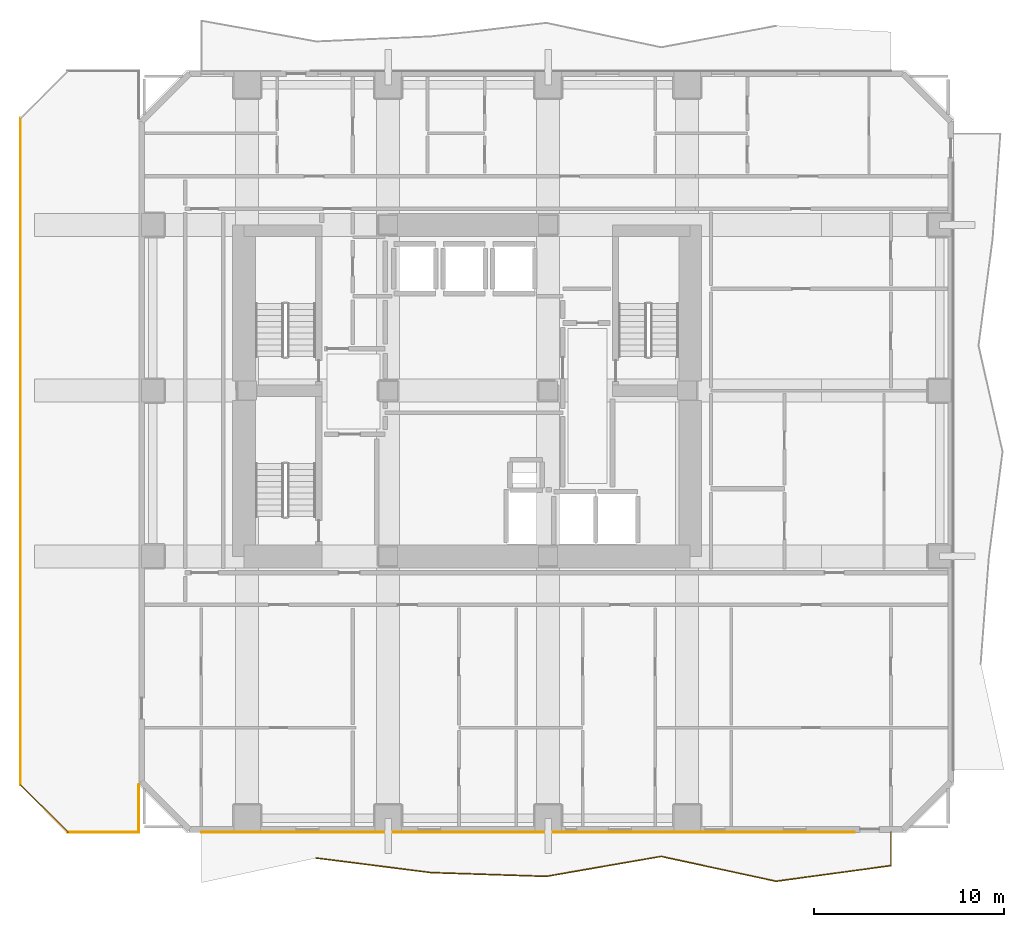
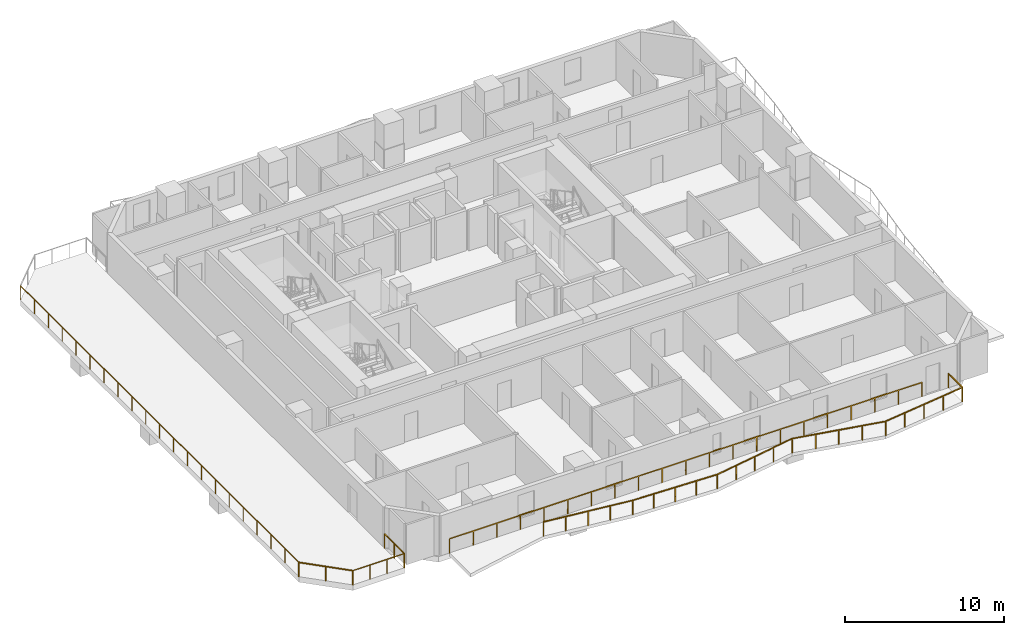
# One storey, part 8 of 10: 6 railings.
"""IFC4 building model written with IfcOpenShell, lengths in metres."""

import ifcopenshell
import ifcopenshell.guid

model = None  # the IFC model being written
_history = None  # IfcOwnerHistory: only IFC2X3 demands one
_inside = {}  # id of a spatial element -> (the spatial element, [elements in it])
_under = {}  # id of a project, library or spatial element -> (it, [spatial elements below it])
_declared = {}  # id of a project -> (the project, [libraries it declares])
_typed = {}  # id of a type object -> (the type object, [elements of that type])
_made_of = {}  # id of a material, layer set ... -> (it, [elements and type objects made of it])


def new_model(schema):
    """Start an empty IFC model of exactly this schema.

    Asked for "IFC4X3", IfcOpenShell would pick the latest addendum, in which some entities
    have other attributes; the version numbers below select the first issue.
    IFC2X3 requires an IfcOwnerHistory on every rooted entity: one is made here for all.
    """
    global model, _history
    if schema == "IFC4X3":
        model = ifcopenshell.file(schema_version=(4, 3, 0, 0))
    else:
        model = ifcopenshell.file(schema=schema)
    _inside.clear()
    _under.clear()
    _declared.clear()
    _typed.clear()
    _made_of.clear()
    _history = None
    if model.schema == "IFC2X3":
        org = make("IfcOrganization", Name="unknown")
        user = make(
            "IfcPersonAndOrganization",
            ThePerson=make("IfcPerson", FamilyName="unknown"),
            TheOrganization=org,
        )
        app = make(
            "IfcApplication",
            ApplicationDeveloper=org,
            Version="unknown",
            ApplicationFullName="unknown",
            ApplicationIdentifier="unknown",
        )
        _history = make(
            "IfcOwnerHistory",
            OwningUser=user,
            OwningApplication=app,
            ChangeAction="ADDED",
            CreationDate=0,
        )
    return model


def make(cls, **values):
    """One entity of the class cls with the attributes given. An attribute that is None is left unset."""
    return model.create_entity(
        cls, **{name: value for name, value in values.items() if value is not None}
    )


def rooted(cls, **values):
    """An entity with a GlobalId (a new one), such as an element, a storey or a relation."""
    return make(cls, GlobalId=ifcopenshell.guid.new(), OwnerHistory=_history, **values)


def si_unit(unit_type, name, prefix=None):
    """IfcSIUnit, for example si_unit("LENGTHUNIT", "METRE", prefix="MILLI")."""
    return make("IfcSIUnit", UnitType=unit_type, Prefix=prefix, Name=name)


def assignment(units):
    """IfcUnitAssignment: the units of a project."""
    return None if units is None else make("IfcUnitAssignment", Units=units)


def point(xyz):
    """IfcCartesianPoint."""
    return None if xyz is None else make("IfcCartesianPoint", Coordinates=xyz)


def direction(xyz):
    """IfcDirection."""
    return None if xyz is None else make("IfcDirection", DirectionRatios=xyz)


def frame(location, z_axis=None, x_axis=None):
    """IfcAxis2Placement3D, a coordinate frame: its origin and axes. An axis left out is left unset."""
    return make(
        "IfcAxis2Placement3D",
        Location=point(location),
        Axis=direction(z_axis),
        RefDirection=direction(x_axis),
    )


def frame_2d(location, x_axis=None):
    """IfcAxis2Placement2D, a coordinate frame in the plane: its origin and x axis."""
    return make(
        "IfcAxis2Placement2D", Location=point(location), RefDirection=direction(x_axis)
    )


def origin():
    """The frame at (0, 0, 0) with its axes left unset."""
    return frame((0.0, 0.0, 0.0))


def origin_2d():
    """The frame at (0, 0) in the plane with its x axis left unset."""
    return frame_2d((0.0, 0.0))


def place(relative_to, where):
    """IfcLocalPlacement: puts the frame where relative to a parent placement (None: the world)."""
    return make(
        "IfcLocalPlacement", PlacementRelTo=relative_to, RelativePlacement=where
    )


def context(
    kind, dimensions, precision=None, world=None, true_north=None, identifier=None
):
    """IfcGeometricRepresentationContext, for example the 3D "Model" context."""
    return make(
        "IfcGeometricRepresentationContext",
        ContextIdentifier=identifier,
        ContextType=kind,
        CoordinateSpaceDimension=dimensions,
        Precision=precision,
        WorldCoordinateSystem=world,
        TrueNorth=true_north,
    )


def subcontext(parent, identifier, kind, view, scale=None):
    """IfcGeometricRepresentationSubContext, for example "Body" below "Model"."""
    return make(
        "IfcGeometricRepresentationSubContext",
        ContextIdentifier=identifier,
        ContextType=kind,
        ParentContext=parent,
        TargetScale=scale,
        TargetView=view,
    )


def project(units=None, contexts=None):
    """IfcProject with its units and contexts."""
    return rooted(
        "IfcProject",
        Name="project",
        RepresentationContexts=contexts,
        UnitsInContext=assignment(units),
    )


def spatial(cls, under=None, at=None, **own):
    """A site, building, storey or space (cls), placed at a placement, below another one or the project."""
    s = rooted(cls, ObjectPlacement=at, **own)
    if under is not None:
        _under.setdefault(under.id(), (under, []))[1].append(s)
    return s


def profile(cls, at=None, kind="AREA", **sizes):
    """A parametric profile (cls). Its sizes go by their IFC names, for example OverallWidth=200.0."""
    return make(cls, ProfileType=kind, Position=at, **sizes)


def rectangle(**sizes):
    """IfcRectangleProfileDef."""
    return profile("IfcRectangleProfileDef", **sizes)


def extrude(swept, where, along, depth):
    """IfcExtrudedAreaSolid: the profile swept, set in the frame where, extruded along a direction by depth."""
    return make(
        "IfcExtrudedAreaSolid",
        SweptArea=swept,
        Position=where,
        ExtrudedDirection=direction(along),
        Depth=depth,
    )


def shape(context_of_items, identifier, shape_type, items):
    """IfcShapeRepresentation: the items that make up one representation, for example the "Body"."""
    return make(
        "IfcShapeRepresentation",
        ContextOfItems=context_of_items,
        RepresentationIdentifier=identifier,
        RepresentationType=shape_type,
        Items=items,
    )


def material(Name=None, Category=None):
    """IfcMaterial."""
    return make("IfcMaterial", Name=Name, Category=Category)


def made_of(thing, what):
    """Note that an element or type object is made of a material, layer set ...; save() writes the relation."""
    if what is not None:
        _made_of.setdefault(what.id(), (what, []))[1].append(thing)
    return thing


def type_object(cls, material=None, **own):
    """A type object (cls), such as IfcWallType, which elements share."""
    return made_of(rooted(cls, **own), material)


def element(
    cls,
    number,
    at=None,
    inside=None,
    cuts=None,
    type_object=None,
    material=None,
    context=None,
    identifier="Body",
    shape_type=None,
    held_by="IfcProductDefinitionShape",
    body=None,
    shapes=None,
    **own,
):
    """One element of the class cls, such as IfcWall. Its Tag is "e" and its number.

    at: its placement. inside: the storey or other place that contains it. cuts: it is an
    opening in that element (IfcRelVoidsElement). A single representation is given by context,
    identifier, shape_type and body (its items); several are given by shapes. held_by: the class
    of the entity that holds the representations. save() writes the other relations.
    """
    e = rooted(cls, Tag="e%d" % number, ObjectPlacement=at, **own)
    if body is not None:
        shapes = [shape(context, identifier, shape_type, body)]
    if shapes is not None:
        e.Representation = make(held_by, Representations=shapes)
    if inside is not None:
        _inside.setdefault(inside.id(), (inside, []))[1].append(e)
    if cuts is not None:
        rooted(
            "IfcRelVoidsElement", RelatingBuildingElement=cuts, RelatedOpeningElement=e
        )
    if type_object is not None:
        _typed.setdefault(type_object.id(), (type_object, []))[1].append(e)
    return made_of(e, material)


def aggregate(whole, parts):
    """IfcRelAggregates: a whole, such as a stair, and the parts it consists of."""
    return rooted("IfcRelAggregates", RelatingObject=whole, RelatedObjects=parts)


def save(model, path):
    """Write the relations noted so far, then the file.

    IfcRelAggregates (storeys below a building ...), IfcRelContainedInSpatialStructure (elements
    in a storey), IfcRelDefinesByType, IfcRelAssociatesMaterial and IfcRelDeclares: one each for
    every whole, place, type object, material and project.
    """
    for whole, parts in _under.values():
        aggregate(whole, parts)
    for where, things in _inside.values():
        rooted(
            "IfcRelContainedInSpatialStructure",
            RelatedElements=things,
            RelatingStructure=where,
        )
    for kind, things in _typed.values():
        rooted("IfcRelDefinesByType", RelatedObjects=things, RelatingType=kind)
    for what, things in _made_of.values():
        rooted("IfcRelAssociatesMaterial", RelatedObjects=things, RelatingMaterial=what)
    for by, libraries in _declared.values():
        rooted("IfcRelDeclares", RelatingContext=by, RelatedDefinitions=libraries)
    model.write(path)


model = new_model("IFC4")

# Units and contexts
model_context = context("Model", 3, precision=1e-05, world=origin(), true_north=direction((0.0, 1.0)))
body_context = subcontext(model_context, "Body", "Model", "MODEL_VIEW")
ifc_project = project(units=[si_unit("LENGTHUNIT", "METRE"), si_unit("AREAUNIT", "SQUARE_METRE"), si_unit("VOLUMEUNIT", "CUBIC_METRE"), si_unit("PLANEANGLEUNIT", "RADIAN"), si_unit("MASSUNIT", "GRAM", prefix="KILO")], contexts=[model_context])

# Site, building, storey
site_placement = place(None, origin())
site = spatial("IfcSite", under=ifc_project, at=site_placement, CompositionType="ELEMENT")
building_placement = place(site_placement, origin())
building = spatial("IfcBuilding", under=site, at=building_placement, Name="Solanera Arch Residences", CompositionType="ELEMENT")
storey_placement = place(building_placement, frame((0.0, 0.0, 41.919921875)))
storey = spatial("IfcBuildingStorey", under=building, at=storey_placement, Name="L11", CompositionType="ELEMENT", Elevation=41.919921875)

# Railings
ifc_material = material(Name="Steel S355 (ASTM A992 / A572 Grade 50)", Category="steel")
railing_type = type_object("IfcRailingType", Name="Balustrade Railing BL-1100", PredefinedType="BALUSTRADE", material=ifc_material)
railing_1_placement = place(storey_placement, frame((17.032958984375, 6.159912109375, 0.0)))
element("IfcRailing", 1, at=railing_1_placement, inside=storey, type_object=railing_type, Name="L11 S Balcony Balustrade 1", PredefinedType="BALUSTRADE", context=body_context, shape_type="SweptSolid", body=[
    extrude(rectangle(XDim=0.048095703125, YDim=0.048095703125, at=origin_2d()), frame((0.0, 0.0, 1.09619140625), z_axis=(0.99204081397, -0.125916732083, 0.0), x_axis=(0.125916732083, 0.99204081397, 0.0)), (0.0, 0.0, 1.0), 6.082275390625),
    extrude(rectangle(XDim=0.048095703125, YDim=0.048095703125, at=origin_2d()), frame((6.033935546875, -0.765869140625, 1.09619140625), z_axis=(0.999467212416, -0.0326388006, 0.0), x_axis=(0.0326388006, 0.999467212416, 0.0)), (0.0, 0.0, 1.0), 6.036376953125),
    extrude(rectangle(XDim=0.048095703125, YDim=0.048095703125, at=origin_2d()), frame((12.067138671875, -0.962890625, 1.09619140625), z_axis=(0.985215558641, 0.171319301343, 0.0), x_axis=(-0.171319301343, 0.985215558641, 0.0)), (0.0, 0.0, 1.0), 6.12353515625),
    extrude(rectangle(XDim=0.048095703125, YDim=0.048095703125, at=origin_2d()), frame((18.10009765625, 0.086181640625, 1.09619140625), z_axis=(0.977396058142, -0.211416521417, 0.0), x_axis=(0.211416521417, 0.977396058142, 0.0)), (0.0, 0.0, 1.0), 6.173583984375),
    extrude(rectangle(XDim=0.048095703125, YDim=0.048095703125, at=origin_2d()), frame((24.134033203125, -1.218994140625, 1.09619140625), z_axis=(0.990866001883, 0.134850162451, 0.0), x_axis=(-0.134850162451, 0.990866001883, 0.0)), (0.0, 0.0, 1.0), 6.088623046875),
    extrude(rectangle(XDim=0.048095703125, YDim=0.048095703125, at=origin_2d()), frame((30.1669921875, -0.39794921875, 1.09619140625), z_axis=(0.0, 1.0, 0.0), x_axis=(-1.0, 0.0, 0.0)), (0.0, 0.0, 1.0), 1.758056640625),
    extrude(rectangle(XDim=0.0419921875, YDim=0.0419921875, at=origin_2d()), origin(), (0.0, 0.0, 1.0), 1.072021484375),
    extrude(rectangle(XDim=0.0419921875, YDim=0.0419921875, at=origin_2d()), frame((1.508544921875, -0.19140625, 0.0)), (0.0, 0.0, 1.0), 1.072021484375),
    extrude(rectangle(XDim=0.0419921875, YDim=0.0419921875, at=origin_2d()), frame((3.01708984375, -0.3828125, 0.0)), (0.0, 0.0, 1.0), 1.072021484375),
    extrude(rectangle(XDim=0.0419921875, YDim=0.0419921875, at=origin_2d()), frame((4.525390625, -0.574462890625, 0.0)), (0.0, 0.0, 1.0), 1.072021484375),
    extrude(rectangle(XDim=0.0419921875, YDim=0.0419921875, at=origin_2d()), frame((6.033935546875, -0.765869140625, 0.0)), (0.0, 0.0, 1.0), 1.072021484375),
    extrude(rectangle(XDim=0.0419921875, YDim=0.0419921875, at=origin_2d()), frame((7.542236328125, -0.815185546875, 0.0)), (0.0, 0.0, 1.0), 1.072021484375),
    extrude(rectangle(XDim=0.0419921875, YDim=0.0419921875, at=origin_2d()), frame((9.050537109375, -0.8642578125, 0.0)), (0.0, 0.0, 1.0), 1.072021484375),
    extrude(rectangle(XDim=0.0419921875, YDim=0.0419921875, at=origin_2d()), frame((10.558837890625, -0.91357421875, 0.0)), (0.0, 0.0, 1.0), 1.072021484375),
    extrude(rectangle(XDim=0.0419921875, YDim=0.0419921875, at=origin_2d()), frame((12.067138671875, -0.962890625, 0.0)), (0.0, 0.0, 1.0), 1.072021484375),
    extrude(rectangle(XDim=0.0419921875, YDim=0.0419921875, at=origin_2d()), frame((13.575439453125, -0.70068359375, 0.0)), (0.0, 0.0, 1.0), 1.072021484375),
    extrude(rectangle(XDim=0.0419921875, YDim=0.0419921875, at=origin_2d()), frame((15.08349609375, -0.4384765625, 0.0)), (0.0, 0.0, 1.0), 1.072021484375),
    extrude(rectangle(XDim=0.0419921875, YDim=0.0419921875, at=origin_2d()), frame((16.591796875, -0.176025390625, 0.0)), (0.0, 0.0, 1.0), 1.072021484375),
    extrude(rectangle(XDim=0.0419921875, YDim=0.0419921875, at=origin_2d()), frame((18.10009765625, 0.086181640625, 0.0)), (0.0, 0.0, 1.0), 1.072021484375),
    extrude(rectangle(XDim=0.0419921875, YDim=0.0419921875, at=origin_2d()), frame((19.608642578125, -0.240234375, 0.0)), (0.0, 0.0, 1.0), 1.072021484375),
    extrude(rectangle(XDim=0.0419921875, YDim=0.0419921875, at=origin_2d()), frame((21.1171875, -0.56640625, 0.0)), (0.0, 0.0, 1.0), 1.072021484375),
    extrude(rectangle(XDim=0.0419921875, YDim=0.0419921875, at=origin_2d()), frame((22.62548828125, -0.892578125, 0.0)), (0.0, 0.0, 1.0), 1.072021484375),
    extrude(rectangle(XDim=0.0419921875, YDim=0.0419921875, at=origin_2d()), frame((24.134033203125, -1.218994140625, 0.0)), (0.0, 0.0, 1.0), 1.072021484375),
    extrude(rectangle(XDim=0.0419921875, YDim=0.0419921875, at=origin_2d()), frame((25.642333984375, -1.013671875, 0.0)), (0.0, 0.0, 1.0), 1.072021484375),
    extrude(rectangle(XDim=0.0419921875, YDim=0.0419921875, at=origin_2d()), frame((27.150390625, -0.80859375, 0.0)), (0.0, 0.0, 1.0), 1.072021484375),
    extrude(rectangle(XDim=0.0419921875, YDim=0.0419921875, at=origin_2d()), frame((28.65869140625, -0.603271484375, 0.0)), (0.0, 0.0, 1.0), 1.072021484375),
    extrude(rectangle(XDim=0.0419921875, YDim=0.0419921875, at=origin_2d()), frame((30.1669921875, -0.39794921875, 0.0)), (0.0, 0.0, 1.0), 1.072021484375),
    extrude(rectangle(XDim=0.0419921875, YDim=0.0419921875, at=origin_2d()), frame((30.1669921875, 1.360107421875, 0.0)), (0.0, 0.0, 1.0), 1.072021484375),
])
railing_2_placement = place(storey_placement, frame((45.283935546875, 7.52001953125, 0.0)))
element("IfcRailing", 2, at=railing_2_placement, inside=storey, type_object=railing_type, Name="L11 S Balcony Balustrade 2", PredefinedType="BALUSTRADE", context=body_context, shape_type="SweptSolid", body=[
    extrude(rectangle(XDim=0.048095703125, YDim=0.048095703125, at=origin_2d()), frame((0.0, 0.0, 1.09619140625), z_axis=(-1.0, 0.0, 0.0), x_axis=(0.0, -1.0, 0.0)), (0.0, 0.0, 1.0), 34.283935546875),
    extrude(rectangle(XDim=0.0419921875, YDim=0.0419921875, at=origin_2d()), origin(), (0.0, 0.0, 1.0), 1.072021484375),
    extrude(rectangle(XDim=0.0419921875, YDim=0.0419921875, at=origin_2d()), frame((-1.714111328125, 0.0, 0.0)), (0.0, 0.0, 1.0), 1.072021484375),
    extrude(rectangle(XDim=0.0419921875, YDim=0.0419921875, at=origin_2d()), frame((-3.428466796875, 0.0, 0.0)), (0.0, 0.0, 1.0), 1.072021484375),
    extrude(rectangle(XDim=0.0419921875, YDim=0.0419921875, at=origin_2d()), frame((-5.142578125, 0.0, 0.0)), (0.0, 0.0, 1.0), 1.072021484375),
    extrude(rectangle(XDim=0.0419921875, YDim=0.0419921875, at=origin_2d()), frame((-6.856689453125, 0.0, 0.0)), (0.0, 0.0, 1.0), 1.072021484375),
    extrude(rectangle(XDim=0.0419921875, YDim=0.0419921875, at=origin_2d()), frame((-8.571044921875, 0.0, 0.0)), (0.0, 0.0, 1.0), 1.072021484375),
    extrude(rectangle(XDim=0.0419921875, YDim=0.0419921875, at=origin_2d()), frame((-10.28515625, 0.0, 0.0)), (0.0, 0.0, 1.0), 1.072021484375),
    extrude(rectangle(XDim=0.0419921875, YDim=0.0419921875, at=origin_2d()), frame((-11.999267578125, 0.0, 0.0)), (0.0, 0.0, 1.0), 1.072021484375),
    extrude(rectangle(XDim=0.0419921875, YDim=0.0419921875, at=origin_2d()), frame((-13.713623046875, 0.0, 0.0)), (0.0, 0.0, 1.0), 1.072021484375),
    extrude(rectangle(XDim=0.0419921875, YDim=0.0419921875, at=origin_2d()), frame((-15.427734375, 0.0, 0.0)), (0.0, 0.0, 1.0), 1.072021484375),
    extrude(rectangle(XDim=0.0419921875, YDim=0.0419921875, at=origin_2d()), frame((-17.14208984375, 0.0, 0.0)), (0.0, 0.0, 1.0), 1.072021484375),
    extrude(rectangle(XDim=0.0419921875, YDim=0.0419921875, at=origin_2d()), frame((-18.856201171875, 0.0, 0.0)), (0.0, 0.0, 1.0), 1.072021484375),
    extrude(rectangle(XDim=0.0419921875, YDim=0.0419921875, at=origin_2d()), frame((-20.5703125, 0.0, 0.0)), (0.0, 0.0, 1.0), 1.072021484375),
    extrude(rectangle(XDim=0.0419921875, YDim=0.0419921875, at=origin_2d()), frame((-22.28466796875, 0.0, 0.0)), (0.0, 0.0, 1.0), 1.072021484375),
    extrude(rectangle(XDim=0.0419921875, YDim=0.0419921875, at=origin_2d()), frame((-23.998779296875, 0.0, 0.0)), (0.0, 0.0, 1.0), 1.072021484375),
    extrude(rectangle(XDim=0.0419921875, YDim=0.0419921875, at=origin_2d()), frame((-25.712890625, 0.0, 0.0)), (0.0, 0.0, 1.0), 1.072021484375),
    extrude(rectangle(XDim=0.0419921875, YDim=0.0419921875, at=origin_2d()), frame((-27.42724609375, 0.0, 0.0)), (0.0, 0.0, 1.0), 1.072021484375),
    extrude(rectangle(XDim=0.0419921875, YDim=0.0419921875, at=origin_2d()), frame((-29.141357421875, 0.0, 0.0)), (0.0, 0.0, 1.0), 1.072021484375),
    extrude(rectangle(XDim=0.0419921875, YDim=0.0419921875, at=origin_2d()), frame((-30.85546875, 0.0, 0.0)), (0.0, 0.0, 1.0), 1.072021484375),
    extrude(rectangle(XDim=0.0419921875, YDim=0.0419921875, at=origin_2d()), frame((-32.56982421875, 0.0, 0.0)), (0.0, 0.0, 1.0), 1.072021484375),
    extrude(rectangle(XDim=0.0419921875, YDim=0.0419921875, at=origin_2d()), frame((-34.283935546875, 0.0, 0.0)), (0.0, 0.0, 1.0), 1.072021484375),
])
railing_3_placement = place(storey_placement, frame((3.97998046875, 7.52001953125, 0.0)))
element("IfcRailing", 3, at=railing_3_placement, inside=storey, type_object=railing_type, Name="L11 Sky Terrace Guardrail 1", PredefinedType="BALUSTRADE", context=body_context, shape_type="SweptSolid", body=[
    extrude(rectangle(XDim=0.048095703125, YDim=0.048095703125, at=origin_2d()), frame((0.0, 0.0, 1.09619140625), z_axis=(1.0, 0.0, 0.0), x_axis=(0.0, 1.0, 0.0)), (0.0, 0.0, 1.0), 3.739990234375),
    extrude(rectangle(XDim=0.0419921875, YDim=0.0419921875, at=origin_2d()), origin(), (0.0, 0.0, 1.0), 1.072021484375),
    extrude(rectangle(XDim=0.0419921875, YDim=0.0419921875, at=origin_2d()), frame((1.24658203125, 0.0, 0.0)), (0.0, 0.0, 1.0), 1.072021484375),
    extrude(rectangle(XDim=0.0419921875, YDim=0.0419921875, at=origin_2d()), frame((2.493408203125, 0.0, 0.0)), (0.0, 0.0, 1.0), 1.072021484375),
    extrude(rectangle(XDim=0.0419921875, YDim=0.0419921875, at=origin_2d()), frame((3.739990234375, 0.0, 0.0)), (0.0, 0.0, 1.0), 1.072021484375),
])
railing_4_placement = place(storey_placement, frame((7.719970703125, 7.52001953125, 0.0)))
element("IfcRailing", 4, at=railing_4_placement, inside=storey, type_object=railing_type, Name="L11 Sky Terrace Guardrail 1", PredefinedType="BALUSTRADE", context=body_context, shape_type="SweptSolid", body=[
    extrude(rectangle(XDim=0.048095703125, YDim=0.048095703125, at=origin_2d()), frame((0.0, 0.0, 1.09619140625), z_axis=(0.0, 1.0, 0.0), x_axis=(-1.0, 0.0, 0.0)), (0.0, 0.0, 1.0), 2.488037109375),
    extrude(rectangle(XDim=0.0419921875, YDim=0.0419921875, at=origin_2d()), origin(), (0.0, 0.0, 1.0), 1.072021484375),
    extrude(rectangle(XDim=0.0419921875, YDim=0.0419921875, at=origin_2d()), frame((0.0, 1.244140625, 0.0)), (0.0, 0.0, 1.0), 1.072021484375),
    extrude(rectangle(XDim=0.0419921875, YDim=0.0419921875, at=origin_2d()), frame((0.0, 2.488037109375, 0.0)), (0.0, 0.0, 1.0), 1.072021484375),
])
railing_5_placement = place(storey_placement, frame((1.5, 45.0, 0.0)))
element("IfcRailing", 5, at=railing_5_placement, inside=storey, type_object=railing_type, Name="L11 Sky Terrace Guardrail 1", PredefinedType="BALUSTRADE", context=body_context, shape_type="SweptSolid", body=[
    extrude(rectangle(XDim=0.048095703125, YDim=0.048095703125, at=origin_2d()), frame((0.0, 0.0, 1.09619140625), z_axis=(0.0, -1.0, 0.0), x_axis=(1.0, 0.0, 0.0)), (0.0, 0.0, 1.0), 35.0),
    extrude(rectangle(XDim=0.0419921875, YDim=0.0419921875, at=origin_2d()), origin(), (0.0, 0.0, 1.0), 1.072021484375),
    extrude(rectangle(XDim=0.0419921875, YDim=0.0419921875, at=origin_2d()), frame((0.0, -1.75, 0.0)), (0.0, 0.0, 1.0), 1.072021484375),
    extrude(rectangle(XDim=0.0419921875, YDim=0.0419921875, at=origin_2d()), frame((0.0, -3.5, 0.0)), (0.0, 0.0, 1.0), 1.072021484375),
    extrude(rectangle(XDim=0.0419921875, YDim=0.0419921875, at=origin_2d()), frame((0.0, -5.25, 0.0)), (0.0, 0.0, 1.0), 1.072021484375),
    extrude(rectangle(XDim=0.0419921875, YDim=0.0419921875, at=origin_2d()), frame((0.0, -7.0, 0.0)), (0.0, 0.0, 1.0), 1.072021484375),
    extrude(rectangle(XDim=0.0419921875, YDim=0.0419921875, at=origin_2d()), frame((0.0, -8.75, 0.0)), (0.0, 0.0, 1.0), 1.072021484375),
    extrude(rectangle(XDim=0.0419921875, YDim=0.0419921875, at=origin_2d()), frame((0.0, -10.5, 0.0)), (0.0, 0.0, 1.0), 1.072021484375),
    extrude(rectangle(XDim=0.0419921875, YDim=0.0419921875, at=origin_2d()), frame((0.0, -12.25, 0.0)), (0.0, 0.0, 1.0), 1.072021484375),
    extrude(rectangle(XDim=0.0419921875, YDim=0.0419921875, at=origin_2d()), frame((0.0, -14.0, 0.0)), (0.0, 0.0, 1.0), 1.072021484375),
    extrude(rectangle(XDim=0.0419921875, YDim=0.0419921875, at=origin_2d()), frame((0.0, -15.75, 0.0)), (0.0, 0.0, 1.0), 1.072021484375),
    extrude(rectangle(XDim=0.0419921875, YDim=0.0419921875, at=origin_2d()), frame((0.0, -17.5, 0.0)), (0.0, 0.0, 1.0), 1.072021484375),
    extrude(rectangle(XDim=0.0419921875, YDim=0.0419921875, at=origin_2d()), frame((0.0, -19.25, 0.0)), (0.0, 0.0, 1.0), 1.072021484375),
    extrude(rectangle(XDim=0.0419921875, YDim=0.0419921875, at=origin_2d()), frame((0.0, -21.0, 0.0)), (0.0, 0.0, 1.0), 1.072021484375),
    extrude(rectangle(XDim=0.0419921875, YDim=0.0419921875, at=origin_2d()), frame((0.0, -22.75, 0.0)), (0.0, 0.0, 1.0), 1.072021484375),
    extrude(rectangle(XDim=0.0419921875, YDim=0.0419921875, at=origin_2d()), frame((0.0, -24.5, 0.0)), (0.0, 0.0, 1.0), 1.072021484375),
    extrude(rectangle(XDim=0.0419921875, YDim=0.0419921875, at=origin_2d()), frame((0.0, -26.25, 0.0)), (0.0, 0.0, 1.0), 1.072021484375),
    extrude(rectangle(XDim=0.0419921875, YDim=0.0419921875, at=origin_2d()), frame((0.0, -28.0, 0.0)), (0.0, 0.0, 1.0), 1.072021484375),
    extrude(rectangle(XDim=0.0419921875, YDim=0.0419921875, at=origin_2d()), frame((0.0, -29.75, 0.0)), (0.0, 0.0, 1.0), 1.072021484375),
    extrude(rectangle(XDim=0.0419921875, YDim=0.0419921875, at=origin_2d()), frame((0.0, -31.5, 0.0)), (0.0, 0.0, 1.0), 1.072021484375),
    extrude(rectangle(XDim=0.0419921875, YDim=0.0419921875, at=origin_2d()), frame((0.0, -33.25, 0.0)), (0.0, 0.0, 1.0), 1.072021484375),
    extrude(rectangle(XDim=0.0419921875, YDim=0.0419921875, at=origin_2d()), frame((0.0, -35.0, 0.0)), (0.0, 0.0, 1.0), 1.072021484375),
])
railing_6_placement = place(storey_placement, frame((1.5, 10.0, 0.0)))
element("IfcRailing", 6, at=railing_6_placement, inside=storey, type_object=railing_type, Name="L11 Sky Terrace Guardrail 1", PredefinedType="BALUSTRADE", context=body_context, shape_type="SweptSolid", body=[
    extrude(rectangle(XDim=0.048095703125, YDim=0.048095703125, at=origin_2d()), frame((0.0, 0.0, 1.09619140625), z_axis=(0.707106781187, -0.707106781187, 0.0), x_axis=(0.707106781187, 0.707106781187, 0.0)), (0.0, 0.0, 1.0), 3.50732421875),
    extrude(rectangle(XDim=0.0419921875, YDim=0.0419921875, at=origin_2d()), origin(), (0.0, 0.0, 1.0), 1.072021484375),
    extrude(rectangle(XDim=0.0419921875, YDim=0.0419921875, at=origin_2d()), frame((1.239990234375, -1.239990234375, 0.0)), (0.0, 0.0, 1.0), 1.072021484375),
    extrude(rectangle(XDim=0.0419921875, YDim=0.0419921875, at=origin_2d()), frame((2.47998046875, -2.47998046875, 0.0)), (0.0, 0.0, 1.0), 1.072021484375),
])

save(model, "model.ifc")
